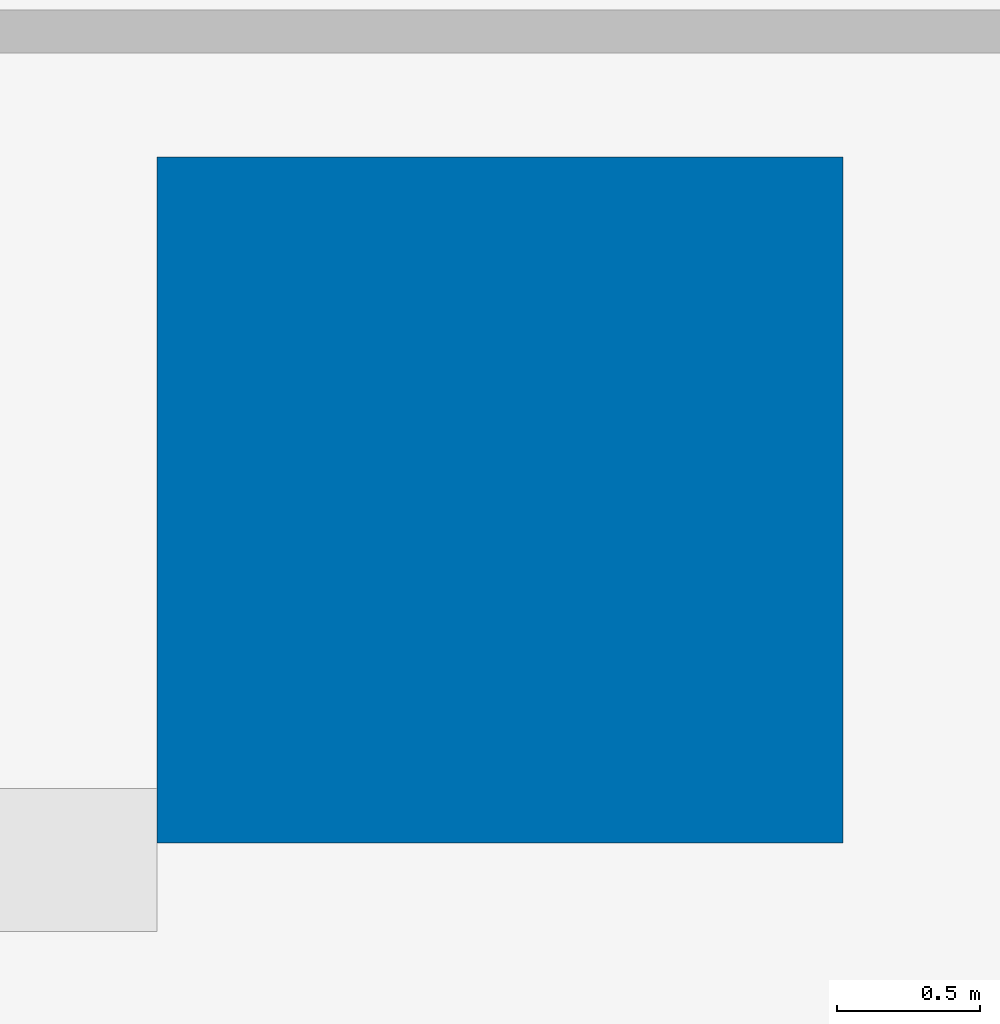
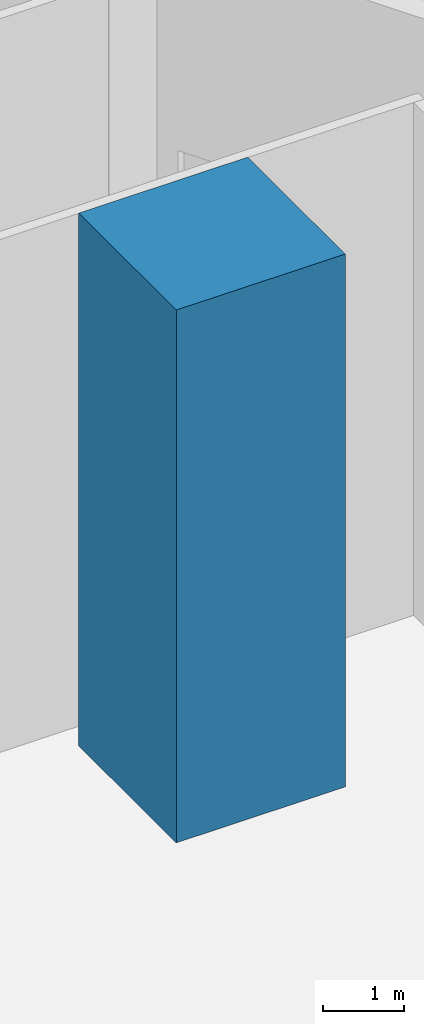
# One storey, part 4 of 24: 1 column.
"""IFC4 building model written with IfcOpenShell, lengths in metres."""

from ifc_helpers import new_model, si_unit, direction, frame, origin, origin_2d, place, context, subcontext, project, spatial, rectangle, extrude, material, material_profile, profile_set, type_object, element, save


model = new_model("IFC4")

# Units and contexts
model_context = context("Model", 3, precision=1e-05, world=origin(), true_north=direction((0.0, 1.0)))
body_context = subcontext(model_context, "Body", "Model", "MODEL_VIEW")
ifc_project = project(units=[si_unit("LENGTHUNIT", "METRE"), si_unit("AREAUNIT", "SQUARE_METRE"), si_unit("VOLUMEUNIT", "CUBIC_METRE"), si_unit("PLANEANGLEUNIT", "RADIAN"), si_unit("MASSUNIT", "GRAM", prefix="KILO")], contexts=[model_context])

# Site, building, storey
site_placement = place(None, origin())
site = spatial("IfcSite", under=ifc_project, at=site_placement, CompositionType="ELEMENT")
building_placement = place(site_placement, origin())
building = spatial("IfcBuilding", under=site, at=building_placement, Name="Fogline Exchange Tower", CompositionType="ELEMENT")
storey_placement = place(building_placement, origin())
storey = spatial("IfcBuildingStorey", under=building, at=storey_placement, Name="L00", CompositionType="ELEMENT", Elevation=0.0)

# Column
ifc_material = material(Name="Concrete C80", Category="concrete")
ifc_material_profile = material_profile(ifc_material, rectangle(XDim=2.39990234375, YDim=2.39990234375, at=origin_2d()), Name="RC 2400x2400")
ifc_profile_set = profile_set([ifc_material_profile], Name="Concrete C80")
column_type = type_object("IfcColumnType", Name="MC01", PredefinedType="COLUMN", material=ifc_profile_set)
column_placement = place(storey_placement, frame((22.157958984375, 32.760009765625, 0.0), z_axis=(0.0, 0.0, 1.0), x_axis=(1.0, 0.0, 0.0)))
element("IfcColumn", 1, at=column_placement, inside=storey, type_object=column_type, Name="M03", PredefinedType="COLUMN", context=body_context, shape_type="SweptSolid", body=[
    extrude(rectangle(XDim=2.39990234375, YDim=2.39990234375, at=origin_2d()), origin(), (0.0, 0.0, 1.0), 8.0),
])

save(model, "model.ifc")
